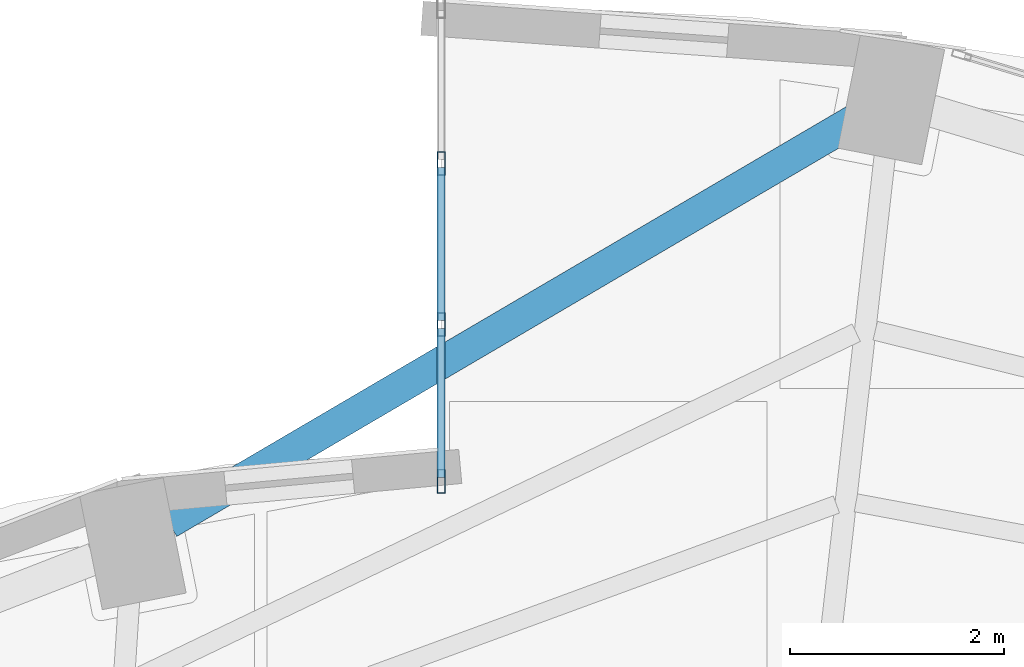
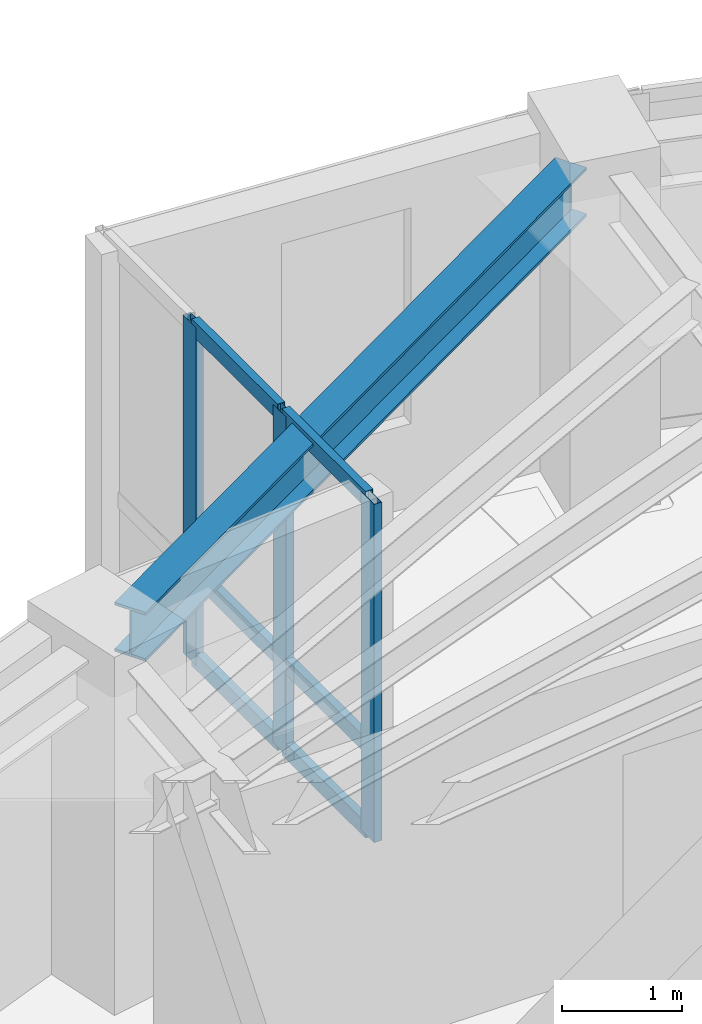
# One storey, part 4 of 15: 9 members, 1 beam, 1 element without a shape of its own.
"""IFC4 building model written with IfcOpenShell, lengths in metres."""

from ifc_helpers import new_model, si_unit, direction, frame, origin, origin_2d, place, context, subcontext, project, spatial, hollow_rectangle, i_section, extrude, material, layer, layer_set, material_profile, profile_set, type_object, element, aggregate, save


model = new_model("IFC4")

# Units and contexts
model_context = context("Model", 3, precision=1e-05, world=origin(), true_north=direction((0.0, 1.0)))
body_context = subcontext(model_context, "Body", "Model", "MODEL_VIEW")
ifc_project = project(units=[si_unit("LENGTHUNIT", "METRE"), si_unit("AREAUNIT", "SQUARE_METRE"), si_unit("VOLUMEUNIT", "CUBIC_METRE"), si_unit("PLANEANGLEUNIT", "RADIAN"), si_unit("MASSUNIT", "GRAM", prefix="KILO")], contexts=[model_context])

# Site, building, storey
site_placement = place(None, origin())
site = spatial("IfcSite", under=ifc_project, at=site_placement, CompositionType="ELEMENT")
building_placement = place(site_placement, origin())
building = spatial("IfcBuilding", under=site, at=building_placement, Name="Lazwardi Medical Tower", CompositionType="ELEMENT")
storey_placement = place(building_placement, frame((0.0, 0.0, 284.2080078125)))
storey = spatial("IfcBuildingStorey", under=building, at=storey_placement, Name="L74", CompositionType="ELEMENT", Elevation=284.2080078125)

# Beam
ifc_material_1 = material(Name="Steel S355", Category="steel")
ifc_material_profile_1 = material_profile(ifc_material_1, i_section(OverallWidth=0.300048828125, OverallDepth=0.5, WebThickness=0.014404296875, FlangeThickness=0.028076171875, at=origin_2d()), Name="HEB 500")
ifc_profile_set_1 = profile_set([ifc_material_profile_1], Name="Steel S355")
beam_type = type_object("IfcBeamType", Name="BM-RB-Z4", PredefinedType="BEAM", material=ifc_profile_set_1)
beam_placement = place(storey_placement, frame((39.877685546875, 44.40087890625, 3.197998046875), z_axis=(-0.862560933033, -0.505953196259, 0.0), x_axis=(0.505953196259, -0.862560933033, 0.0)))
element("IfcBeam", 1, at=beam_placement, inside=storey, type_object=beam_type, Name="Ring beam RB-05 B08 L74", PredefinedType="BEAM", context=body_context, shape_type="SweptSolid", body=[
    extrude(i_section(OverallWidth=0.300048828125, OverallDepth=0.5, WebThickness=0.014404296875, FlangeThickness=0.028076171875, at=origin_2d()), origin(), (0.0, 0.0, 1.0), 7.452880859375),
])

# Curtain wall, members
ifc_material_2 = material(Name="Anodised bronze aluminium and solar control glazing", Category="aluminium")
ifc_layer = layer(ifc_material_2, 0.2099609375)
ifc_layer_set = layer_set([ifc_layer], Name="Anodised bronze aluminium and solar control glazing")
curtain_wall_type = type_object("IfcCurtainWallType", Name="CW-SYS-06", PredefinedType="NOTDEFINED", material=ifc_layer_set)
curtain_wall_placement = place(storey_placement, origin())
curtain_wall = element("IfcCurtainWall", 2, at=curtain_wall_placement, inside=storey, type_object=curtain_wall_type, Name="L74 Unitised bronze curtain wall CW-06", PredefinedType="NOTDEFINED")
ifc_material_3 = material(Name="Anodised bronze aluminium", Category="aluminium")
ifc_material_profile_2 = material_profile(ifc_material_3, hollow_rectangle(XDim=0.074951171875, YDim=0.219970703125, WallThickness=0.00390625, at=origin_2d()), Name="ALU-MULLION 220x75x4")
ifc_profile_set_2 = profile_set([ifc_material_profile_2], Name="Anodised bronze aluminium")
member_type_1 = type_object("IfcMemberType", Name="CW-MUL-01", PredefinedType="MULLION", material=ifc_profile_set_2)
member_1_placement = place(storey_placement, frame((36.0, 43.993408203125, 0.0), z_axis=(0.0, 0.0, 1.0), x_axis=(1.0, 0.0, 0.0)))
member_1 = element("IfcMember", 3, at=member_1_placement, type_object=member_type_1, Name="CW-06 mullion 2", PredefinedType="MULLION", context=body_context, shape_type="SweptSolid", body=[
    extrude(hollow_rectangle(XDim=0.074951171875, YDim=0.219970703125, WallThickness=0.00390625, at=origin_2d()), origin(), (0.0, 0.0, 1.0), 3.447998046875),
])
member_2_placement = place(storey_placement, frame((36.0, 42.486572265625, 0.0), z_axis=(0.0, 0.0, 1.0), x_axis=(1.0, 0.0, 0.0)))
member_2 = element("IfcMember", 4, at=member_2_placement, type_object=member_type_1, Name="CW-06 mullion 3", PredefinedType="MULLION", context=body_context, shape_type="SweptSolid", body=[
    extrude(hollow_rectangle(XDim=0.074951171875, YDim=0.219970703125, WallThickness=0.00390625, at=origin_2d()), origin(), (0.0, 0.0, 1.0), 3.447998046875),
])
member_3_placement = place(storey_placement, frame((36.0, 41.017578125, 0.0), z_axis=(0.0, 0.0, 1.0), x_axis=(1.0, 0.0, 0.0)))
member_3 = element("IfcMember", 5, at=member_3_placement, type_object=member_type_1, Name="CW-06 mullion 4", PredefinedType="MULLION", context=body_context, shape_type="SweptSolid", body=[
    extrude(hollow_rectangle(XDim=0.074951171875, YDim=0.219970703125, WallThickness=0.00390625, at=origin_2d()), origin(), (0.0, 0.0, 1.0), 3.447998046875),
])
ifc_material_profile_3 = material_profile(ifc_material_3, hollow_rectangle(XDim=0.074951171875, YDim=0.159912109375, WallThickness=0.00390625, at=origin_2d()), Name="ALU-TRANSOM 160x75x4")
ifc_profile_set_3 = profile_set([ifc_material_profile_3], Name="Anodised bronze aluminium")
member_type_2 = type_object("IfcMemberType", Name="CW-TRN-01", PredefinedType="USERDEFINED", material=ifc_profile_set_3)
member_4_placement = place(storey_placement, frame((36.0, 43.955810546875, 0.03759765625), z_axis=(0.0, -1.0, 0.0), x_axis=(1.0, 0.0, 0.0)))
member_4 = element("IfcMember", 6, at=member_4_placement, type_object=member_type_2, Name="CW-06 transom 2.1", ObjectType="TRANSOM", PredefinedType="USERDEFINED", context=body_context, shape_type="SweptSolid", body=[
    extrude(hollow_rectangle(XDim=0.074951171875, YDim=0.159912109375, WallThickness=0.00390625, at=origin_2d()), origin(), (0.0, 0.0, 1.0), 1.431640625),
])
member_5_placement = place(storey_placement, frame((36.0, 43.955810546875, 0.89990234375), z_axis=(0.0, -1.0, 0.0), x_axis=(1.0, 0.0, 0.0)))
member_5 = element("IfcMember", 7, at=member_5_placement, type_object=member_type_2, Name="CW-06 transom 2.2", ObjectType="TRANSOM", PredefinedType="USERDEFINED", context=body_context, shape_type="SweptSolid", body=[
    extrude(hollow_rectangle(XDim=0.074951171875, YDim=0.159912109375, WallThickness=0.00390625, at=origin_2d()), origin(), (0.0, 0.0, 1.0), 1.431640625),
])
member_6_placement = place(storey_placement, frame((36.0, 43.955810546875, 3.410400390625), z_axis=(0.0, -1.0, 0.0), x_axis=(1.0, 0.0, 0.0)))
member_6 = element("IfcMember", 8, at=member_6_placement, type_object=member_type_2, Name="CW-06 transom 2.3", ObjectType="TRANSOM", PredefinedType="USERDEFINED", context=body_context, shape_type="SweptSolid", body=[
    extrude(hollow_rectangle(XDim=0.074951171875, YDim=0.159912109375, WallThickness=0.00390625, at=origin_2d()), origin(), (0.0, 0.0, 1.0), 1.431640625),
])
member_7_placement = place(storey_placement, frame((36.0, 42.44921875, 0.03759765625), z_axis=(0.0, -1.0, 0.0), x_axis=(1.0, 0.0, 0.0)))
member_7 = element("IfcMember", 9, at=member_7_placement, type_object=member_type_2, Name="CW-06 transom 3.1", ObjectType="TRANSOM", PredefinedType="USERDEFINED", context=body_context, shape_type="SweptSolid", body=[
    extrude(hollow_rectangle(XDim=0.074951171875, YDim=0.159912109375, WallThickness=0.00390625, at=origin_2d()), origin(), (0.0, 0.0, 1.0), 1.394287109375),
])
member_8_placement = place(storey_placement, frame((36.0, 42.44921875, 0.89990234375), z_axis=(0.0, -1.0, 0.0), x_axis=(1.0, 0.0, 0.0)))
member_8 = element("IfcMember", 10, at=member_8_placement, type_object=member_type_2, Name="CW-06 transom 3.2", ObjectType="TRANSOM", PredefinedType="USERDEFINED", context=body_context, shape_type="SweptSolid", body=[
    extrude(hollow_rectangle(XDim=0.074951171875, YDim=0.159912109375, WallThickness=0.00390625, at=origin_2d()), origin(), (0.0, 0.0, 1.0), 1.394287109375),
])
member_9_placement = place(storey_placement, frame((36.0, 42.44921875, 3.410400390625), z_axis=(0.0, -1.0, 0.0), x_axis=(1.0, 0.0, 0.0)))
member_9 = element("IfcMember", 11, at=member_9_placement, type_object=member_type_2, Name="CW-06 transom 3.3", ObjectType="TRANSOM", PredefinedType="USERDEFINED", context=body_context, shape_type="SweptSolid", body=[
    extrude(hollow_rectangle(XDim=0.074951171875, YDim=0.159912109375, WallThickness=0.00390625, at=origin_2d()), origin(), (0.0, 0.0, 1.0), 1.394287109375),
])
aggregate(curtain_wall, [member_1, member_2, member_3, member_4, member_5, member_6, member_7, member_8, member_9])

save(model, "model.ifc")
